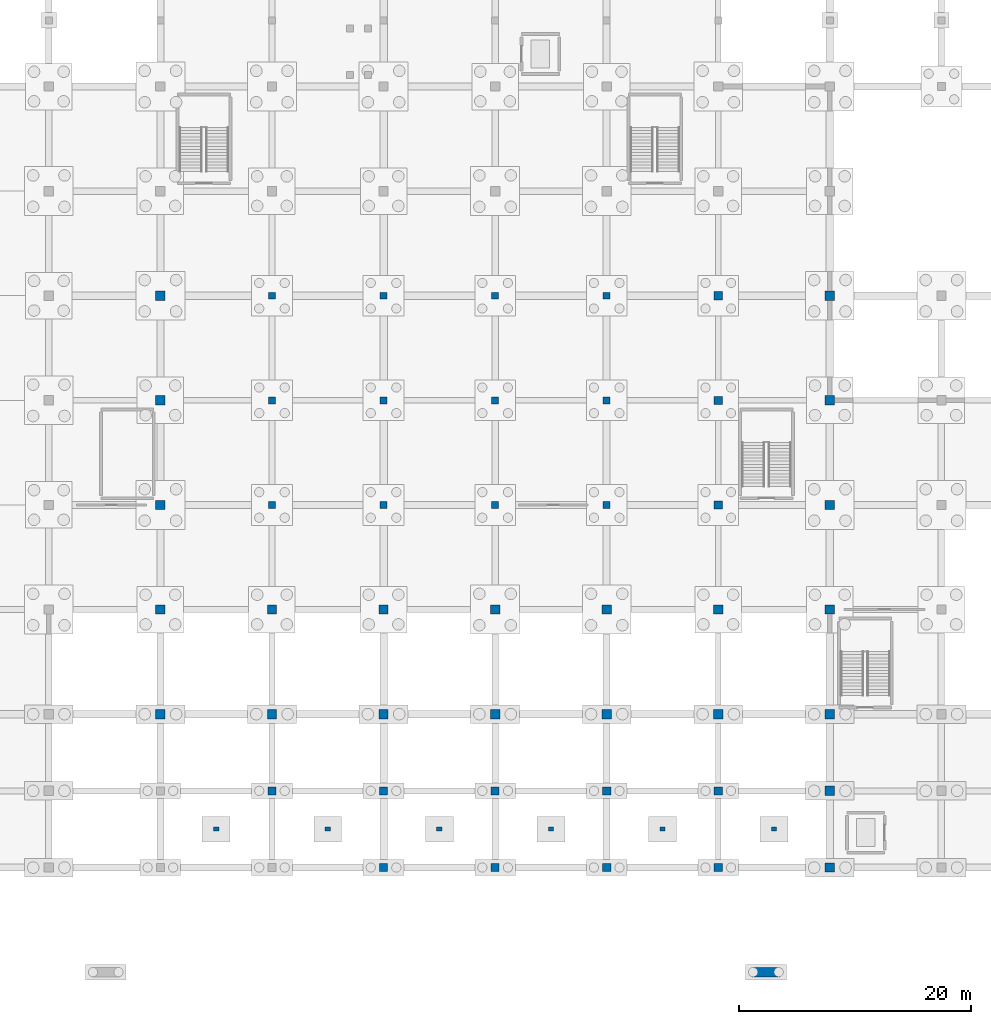
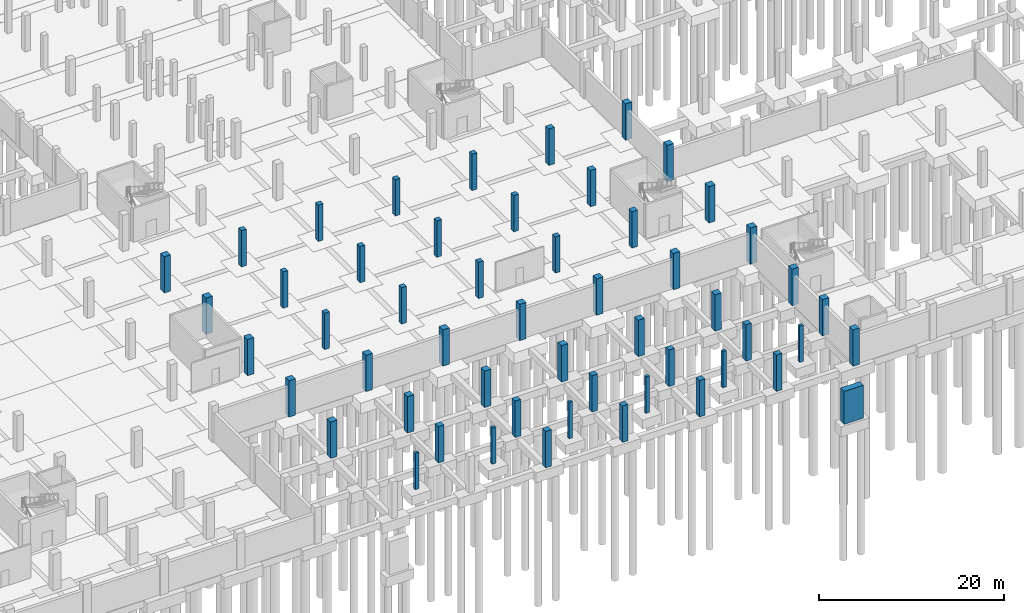
# One storey, part 18 of 39: 53 columns.
"""IFC4 building model written with IfcOpenShell, lengths in metres."""

from ifc_helpers import new_model, si_unit, direction, frame, origin, origin_2d, place, context, subcontext, project, spatial, rectangle, extrude, material, material_profile, profile_set, type_object, element, save


model = new_model("IFC4")

# Units and contexts
model_context = context("Model", 3, precision=1e-05, world=origin(), true_north=direction((0.0, 1.0)))
body_context = subcontext(model_context, "Body", "Model", "MODEL_VIEW")
ifc_project = project(units=[si_unit("LENGTHUNIT", "METRE"), si_unit("AREAUNIT", "SQUARE_METRE"), si_unit("VOLUMEUNIT", "CUBIC_METRE"), si_unit("PLANEANGLEUNIT", "RADIAN"), si_unit("MASSUNIT", "GRAM", prefix="KILO")], contexts=[model_context])

# Site, building, storey
site_placement = place(None, origin())
site = spatial("IfcSite", under=ifc_project, at=site_placement, CompositionType="ELEMENT")
building_placement = place(site_placement, origin())
building = spatial("IfcBuilding", under=site, at=building_placement, Name="Zarnetskaya Central Station", CompositionType="ELEMENT")
storey_placement = place(building_placement, frame((0.0, 0.0, -4.800048828125)))
storey = spatial("IfcBuildingStorey", under=building, at=storey_placement, Name="B1", CompositionType="ELEMENT", Elevation=-4.800048828125)

# Columns
ifc_material_1 = material(Name="Concrete C35/45", Category="concrete")
ifc_material_profile_1 = material_profile(ifc_material_1, rectangle(XDim=0.800048828125, YDim=0.800048828125, at=origin_2d()), Name="RC 800x800")
ifc_profile_set_1 = profile_set([ifc_material_profile_1], Name="Concrete C35/45")
column_type_1 = type_object("IfcColumnType", Name="COL-B1-PIER3", PredefinedType="COLUMN", material=ifc_profile_set_1)
for number, where, z_axis, x_axis, name in (
    (1, (67.199951171875, 13.199951171875, 0.0), (0.0, 0.0, 1.0), (1.0, 0.0, 0.0), "Column H3 B1"),
    (2, (67.199951171875, 22.199951171875, 0.0), (0.0, 0.0, 1.0), (1.0, 0.0, 0.0), "Column H4 B1"),
    (3, (67.199951171875, 31.199951171875, 0.0), (0.0, 0.0, 1.0), (1.0, 0.0, 0.0), "Column H5 B1"),
    (4, (67.199951171875, 40.199951171875, 0.0), (0.0, 0.0, 1.0), (1.0, 0.0, 0.0), "Column H6 B1"),
    (5, (67.199951171875, 49.199951171875, 0.0), (0.0, 0.0, 1.0), (1.0, 0.0, 0.0), "Column H7 B1"),
    (6, (76.800048828125, 13.199951171875, 0.0), (0.0, 0.0, 1.0), (1.0, 0.0, 0.0), "Column J3 B1"),
    (7, (76.800048828125, 22.199951171875, 0.0), (0.0, 0.0, 1.0), (1.0, 0.0, 0.0), "Column J4 B1"),
    (8, (86.39990234375, 13.199951171875, 0.0), (0.0, 0.0, 1.0), (1.0, 0.0, 0.0), "Column K3 B1"),
    (9, (86.39990234375, 22.199951171875, 0.0), (0.0, 0.0, 1.0), (1.0, 0.0, 0.0), "Column K4 B1"),
    (10, (96.0, 13.199951171875, 0.0), (0.0, 0.0, 1.0), (1.0, 0.0, 0.0), "Column L3 B1"),
    (11, (96.0, 22.199951171875, 0.0), (0.0, 0.0, 1.0), (1.0, 0.0, 0.0), "Column L4 B1"),
    (12, (105.60009765625, 13.199951171875, 0.0), (0.0, 0.0, 1.0), (1.0, 0.0, 0.0), "Column M3 B1"),
    (13, (105.60009765625, 22.199951171875, 0.0), (0.0, 0.0, 1.0), (1.0, 0.0, 0.0), "Column M4 B1"),
    (14, (115.199951171875, 13.199951171875, 0.0), (0.0, 0.0, 1.0), (1.0, 0.0, 0.0), "Column N3 B1"),
    (15, (115.199951171875, 22.199951171875, 0.0), (0.0, 0.0, 1.0), (1.0, 0.0, 0.0), "Column N4 B1"),
    (16, (124.800048828125, 0.0, 0.0), (0.0, 0.0, 1.0), (1.0, 0.0, 0.0), "Column P1 B1"),
    (17, (124.800048828125, 6.60009765625, 0.0), (0.0, 0.0, 1.0), (1.0, 0.0, 0.0), "Column P2 B1"),
    (18, (124.800048828125, 13.199951171875, 0.0), (0.0, 0.0, 1.0), (1.0, 0.0, 0.0), "Column P3 B1"),
    (19, (124.800048828125, 22.199951171875, 0.0), (0.0, 0.0, 1.0), (1.0, 0.0, 0.0), "Column P4 B1"),
    (20, (124.800048828125, 31.199951171875, 0.0), (0.0, 0.0, 1.0), (1.0, 0.0, 0.0), "Column P5 B1"),
    (21, (124.800048828125, 40.199951171875, 0.0), (0.0, 0.0, 1.0), (1.0, 0.0, 0.0), "Column P6 B1"),
    (22, (124.800048828125, 49.199951171875, 0.0), (0.0, 0.0, 1.0), (1.0, 0.0, 0.0), "Column P7 B1"),
):
    element("IfcColumn", number, at=place(storey_placement, frame(where, z_axis=z_axis, x_axis=x_axis)), inside=storey, type_object=column_type_1, Name=name, PredefinedType="COLUMN", context=body_context, shape_type="SweptSolid", body=[
        extrude(rectangle(XDim=0.800048828125, YDim=0.800048828125, at=origin_2d()), origin(), (0.0, 0.0, 1.0), 4.800048828125),
    ])
ifc_material_profile_2 = material_profile(ifc_material_1, rectangle(XDim=0.699951171875, YDim=0.699951171875, at=origin_2d()), Name="RC 700x700")
ifc_profile_set_2 = profile_set([ifc_material_profile_2], Name="Concrete C35/45")
column_type_2 = type_object("IfcColumnType", Name="COL-B1-PIER4", PredefinedType="COLUMN", material=ifc_profile_set_2)
for number, where, z_axis, x_axis, name in (
    (23, (76.800048828125, 6.60009765625, 0.0), (0.0, 0.0, 1.0), (1.0, 0.0, 0.0), "Column J2 B1"),
    (24, (86.39990234375, 0.0, 0.0), (0.0, 0.0, 1.0), (1.0, 0.0, 0.0), "Column K1 B1"),
    (25, (86.39990234375, 6.60009765625, 0.0), (0.0, 0.0, 1.0), (1.0, 0.0, 0.0), "Column K2 B1"),
    (26, (96.0, 0.0, 0.0), (0.0, 0.0, 1.0), (1.0, 0.0, 0.0), "Column L1 B1"),
    (27, (96.0, 6.60009765625, 0.0), (0.0, 0.0, 1.0), (1.0, 0.0, 0.0), "Column L2 B1"),
    (28, (105.60009765625, 0.0, 0.0), (0.0, 0.0, 1.0), (1.0, 0.0, 0.0), "Column M1 B1"),
    (29, (105.60009765625, 6.60009765625, 0.0), (0.0, 0.0, 1.0), (1.0, 0.0, 0.0), "Column M2 B1"),
    (30, (115.199951171875, 0.0, 0.0), (0.0, 0.0, 1.0), (1.0, 0.0, 0.0), "Column N1 B1"),
    (31, (115.199951171875, 6.60009765625, 0.0), (0.0, 0.0, 1.0), (1.0, 0.0, 0.0), "Column N2 B1"),
    (32, (115.199951171875, 31.199951171875, 0.0), (0.0, 0.0, 1.0), (1.0, 0.0, 0.0), "Column N5 B1"),
    (33, (115.199951171875, 40.199951171875, 0.0), (0.0, 0.0, 1.0), (1.0, 0.0, 0.0), "Column N6 B1"),
    (34, (115.199951171875, 49.199951171875, 0.0), (0.0, 0.0, 1.0), (1.0, 0.0, 0.0), "Column N7 B1"),
):
    element("IfcColumn", number, at=place(storey_placement, frame(where, z_axis=z_axis, x_axis=x_axis)), inside=storey, type_object=column_type_2, Name=name, PredefinedType="COLUMN", context=body_context, shape_type="SweptSolid", body=[
        extrude(rectangle(XDim=0.699951171875, YDim=0.699951171875, at=origin_2d()), origin(), (0.0, 0.0, 1.0), 4.800048828125),
    ])
ifc_material_profile_3 = material_profile(ifc_material_1, rectangle(XDim=0.60009765625, YDim=0.60009765625, at=origin_2d()), Name="RC 600x600")
ifc_profile_set_3 = profile_set([ifc_material_profile_3], Name="Concrete C35/45")
column_type_3 = type_object("IfcColumnType", Name="COL-B1-PIER5", PredefinedType="COLUMN", material=ifc_profile_set_3)
for number, where, z_axis, x_axis, name in (
    (35, (76.800048828125, 31.199951171875, 0.0), (0.0, 0.0, 1.0), (1.0, 0.0, 0.0), "Column J5 B1"),
    (36, (76.800048828125, 40.199951171875, 0.0), (0.0, 0.0, 1.0), (1.0, 0.0, 0.0), "Column J6 B1"),
    (37, (76.800048828125, 49.199951171875, 0.0), (0.0, 0.0, 1.0), (1.0, 0.0, 0.0), "Column J7 B1"),
    (38, (86.39990234375, 31.199951171875, 0.0), (0.0, 0.0, 1.0), (1.0, 0.0, 0.0), "Column K5 B1"),
    (39, (86.39990234375, 40.199951171875, 0.0), (0.0, 0.0, 1.0), (1.0, 0.0, 0.0), "Column K6 B1"),
    (40, (86.39990234375, 49.199951171875, 0.0), (0.0, 0.0, 1.0), (1.0, 0.0, 0.0), "Column K7 B1"),
    (41, (96.0, 31.199951171875, 0.0), (0.0, 0.0, 1.0), (1.0, 0.0, 0.0), "Column L5 B1"),
    (42, (96.0, 40.199951171875, 0.0), (0.0, 0.0, 1.0), (1.0, 0.0, 0.0), "Column L6 B1"),
    (43, (96.0, 49.199951171875, 0.0), (0.0, 0.0, 1.0), (1.0, 0.0, 0.0), "Column L7 B1"),
    (44, (105.60009765625, 31.199951171875, 0.0), (0.0, 0.0, 1.0), (1.0, 0.0, 0.0), "Column M5 B1"),
    (45, (105.60009765625, 40.199951171875, 0.0), (0.0, 0.0, 1.0), (1.0, 0.0, 0.0), "Column M6 B1"),
    (46, (105.60009765625, 49.199951171875, 0.0), (0.0, 0.0, 1.0), (1.0, 0.0, 0.0), "Column M7 B1"),
):
    element("IfcColumn", number, at=place(storey_placement, frame(where, z_axis=z_axis, x_axis=x_axis)), inside=storey, type_object=column_type_3, Name=name, PredefinedType="COLUMN", context=body_context, shape_type="SweptSolid", body=[
        extrude(rectangle(XDim=0.60009765625, YDim=0.60009765625, at=origin_2d()), origin(), (0.0, 0.0, 1.0), 4.800048828125),
    ])
ifc_material_profile_4 = material_profile(ifc_material_1, rectangle(XDim=2.39990234375, YDim=0.800048828125, at=origin_2d()), Name="RC PIER 2400x800")
ifc_profile_set_4 = profile_set([ifc_material_profile_4], Name="Concrete C35/45")
column_type_4 = type_object("IfcColumnType", Name="COL-B1-RMPPIER", PredefinedType="COLUMN", material=ifc_profile_set_4)
column_placement = place(storey_placement, frame((119.300048828125, -9.0, 0.0), z_axis=(0.0, 0.0, 1.0), x_axis=(1.0, 0.0, 0.0)))
element("IfcColumn", 47, at=column_placement, inside=storey, type_object=column_type_4, Name="Ramp landing support pier RM-03", PredefinedType="COLUMN", context=body_context, shape_type="SweptSolid", body=[
    extrude(rectangle(XDim=2.39990234375, YDim=0.800048828125, at=origin_2d()), origin(), (0.0, 0.0, 1.0), 4.35009765625),
])
ifc_material_2 = material(Name="Precast concrete C40/50", Category="concrete")
ifc_material_profile_5 = material_profile(ifc_material_2, rectangle(XDim=0.449951171875, YDim=0.35009765625, at=origin_2d()), Name="RC PILASTER 450x350")
ifc_profile_set_5 = profile_set([ifc_material_profile_5], Name="Precast concrete C40/50")
column_type_5 = type_object("IfcColumnType", Name="PIL-EAVE-RC", PredefinedType="PILASTER", material=ifc_profile_set_5)
for number, where, z_axis, x_axis, name in (
    (48, (72.0, 3.300048828125, 0.0), (0.0, 0.0, 1.0), (1.0, 0.0, 0.0), "Substructure pilaster 1"),
    (49, (81.60009765625, 3.300048828125, 0.0), (0.0, 0.0, 1.0), (1.0, 0.0, 0.0), "Substructure pilaster 2"),
    (50, (91.199951171875, 3.300048828125, 0.0), (0.0, 0.0, 1.0), (1.0, 0.0, 0.0), "Substructure pilaster 3"),
    (51, (100.800048828125, 3.300048828125, 0.0), (0.0, 0.0, 1.0), (1.0, 0.0, 0.0), "Substructure pilaster 4"),
    (52, (110.39990234375, 3.300048828125, 0.0), (0.0, 0.0, 1.0), (1.0, 0.0, 0.0), "Substructure pilaster 5"),
    (53, (120.0, 3.300048828125, 0.0), (0.0, 0.0, 1.0), (1.0, 0.0, 0.0), "Substructure pilaster 6"),
):
    element("IfcColumn", number, at=place(storey_placement, frame(where, z_axis=z_axis, x_axis=x_axis)), inside=storey, type_object=column_type_5, Name=name, PredefinedType="PILASTER", context=body_context, shape_type="SweptSolid", body=[
        extrude(rectangle(XDim=0.449951171875, YDim=0.35009765625, at=origin_2d()), origin(), (0.0, 0.0, 1.0), 4.800048828125),
    ])

save(model, "model.ifc")
